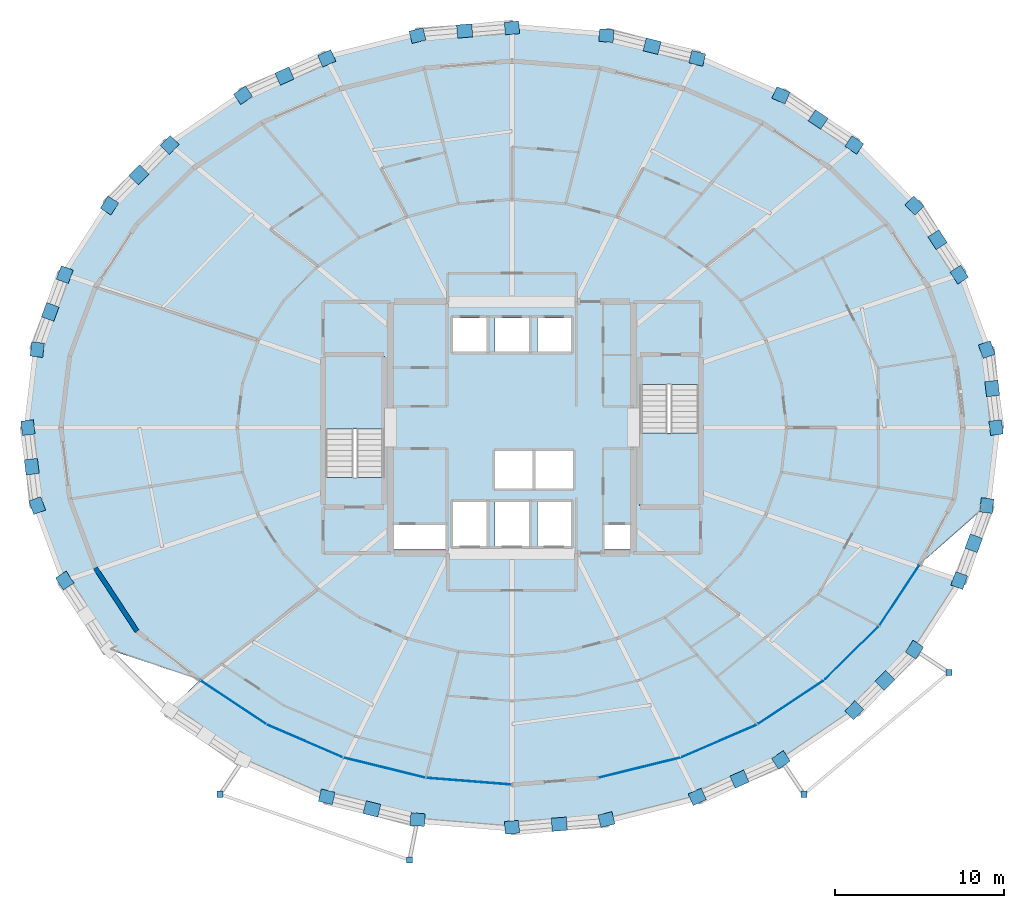
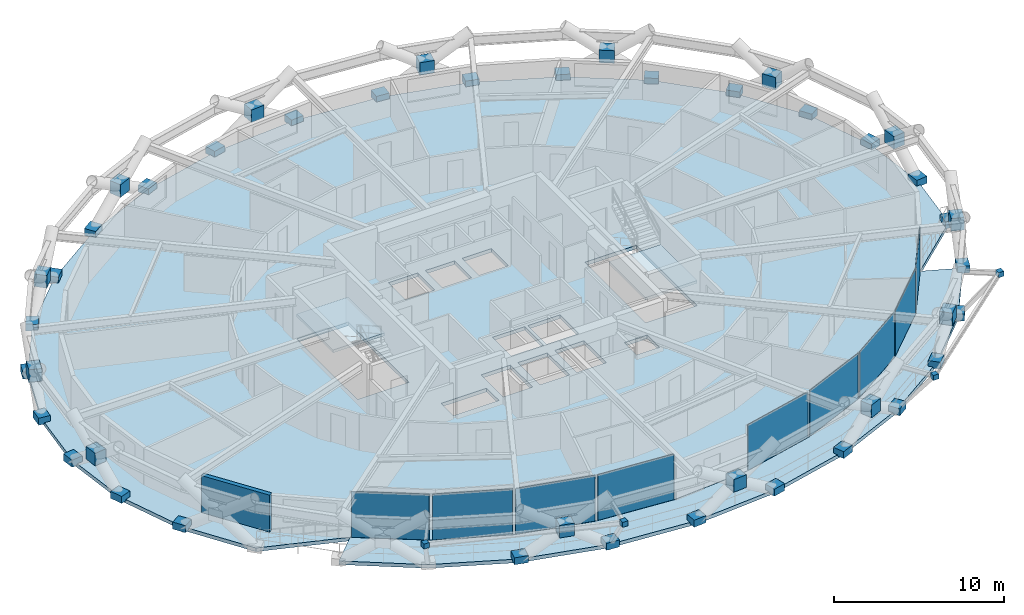
# One storey, part 14 of 21: 56 plates, 4 slabs, 1 wall, 4 elements without a shape of their own.
"""IFC4 building model written with IfcOpenShell, lengths in metres."""

from ifc_helpers import new_model, si_unit, direction, frame, frame_2d, origin, origin_2d, place, context, subcontext, project, spatial, polyline, rectangle, outline, extrude, material, layer, layer_set, type_object, element, aggregate, save


model = new_model("IFC4")

# Units and contexts
model_context = context("Model", 3, precision=1e-05, world=origin(), true_north=direction((0.0, 1.0)))
body_context = subcontext(model_context, "Body", "Model", "MODEL_VIEW")
ifc_project = project(units=[si_unit("LENGTHUNIT", "METRE"), si_unit("AREAUNIT", "SQUARE_METRE"), si_unit("VOLUMEUNIT", "CUBIC_METRE"), si_unit("PLANEANGLEUNIT", "RADIAN"), si_unit("MASSUNIT", "GRAM", prefix="KILO")], contexts=[model_context])

# Site, building, storey
site_placement = place(None, origin())
site = spatial("IfcSite", under=ifc_project, at=site_placement, CompositionType="ELEMENT")
building_placement = place(site_placement, origin())
building = spatial("IfcBuilding", under=site, at=building_placement, Name="Veldorina Hangang Commons", CompositionType="ELEMENT")
storey_placement = place(building_placement, frame((0.0, 0.0, 59.199951171875)))
storey = spatial("IfcBuildingStorey", under=building, at=storey_placement, Name="L14", CompositionType="ELEMENT", Elevation=59.199951171875)

# Curtain wall, plates
ifc_material_1 = material(Name="Glass Low-E Triple IGU", Category="glass")
ifc_layer_1 = layer(ifc_material_1, 0.179931640625)
ifc_layer_set_1 = layer_set([ifc_layer_1], Name="Glass Low-E Triple IGU")
curtain_wall_type = type_object("IfcCurtainWallType", Name="CW-SYS-Z1", PredefinedType="NOTDEFINED", material=ifc_layer_set_1)
curtain_wall_1_placement = place(storey_placement, origin())
curtain_wall_1 = element("IfcCurtainWall", 1, at=curtain_wall_1_placement, inside=storey, type_object=curtain_wall_type, Name="L14 unitised curtain wall CW-L14-R1", PredefinedType="NOTDEFINED")
ifc_layer_2 = layer(ifc_material_1, 0.0400390625)
ifc_layer_set_2 = layer_set([ifc_layer_2], Name="Glass Low-E Triple IGU")
plate_type_1 = type_object("IfcPlateType", Name="CW-PNL-VIS", PredefinedType="CURTAIN_PANEL", material=ifc_layer_set_2)
plate_1_placement = place(storey_placement, frame((15.48876953125, 7.7275390625, 0.01513671875), z_axis=(0.0, 0.0, 1.0), x_axis=(0.833162624029, -0.553028066124, 0.0)))
plate_1 = element("IfcPlate", 2, at=plate_1_placement, type_object=plate_type_1, Name="CW-L14-R1 facet 1 glazed vision panel", PredefinedType="CURTAIN_PANEL", context=body_context, shape_type="SweptSolid", body=[
    extrude(rectangle(XDim=4.57666015625, YDim=0.0400390625, at=origin_2d()), origin(), (0.0, 0.0, 1.0), 3.27001953125),
])
plate_2_placement = place(storey_placement, frame((19.731201171875, 5.434814453125, 0.01513671875), z_axis=(0.0, 0.0, 1.0), x_axis=(0.917900126341, -0.396811489328, 0.0)))
plate_2 = element("IfcPlate", 3, at=plate_2_placement, type_object=plate_type_1, Name="CW-L14-R1 facet 2 glazed vision panel", PredefinedType="CURTAIN_PANEL", context=body_context, shape_type="SweptSolid", body=[
    extrude(rectangle(XDim=4.745849609375, YDim=0.0400390625, at=origin_2d()), origin(), (0.0, 0.0, 1.0), 3.27001953125),
])
plate_3_placement = place(storey_placement, frame((24.44482421875, 3.855712890625, 0.01513671875), z_axis=(0.0, 0.0, 1.0), x_axis=(0.971192535637, -0.238296157591, 0.0)))
plate_3 = element("IfcPlate", 4, at=plate_3_placement, type_object=plate_type_1, Name="CW-L14-R1 facet 3 glazed vision panel", PredefinedType="CURTAIN_PANEL", context=body_context, shape_type="SweptSolid", body=[
    extrude(rectangle(XDim=4.87158203125, YDim=0.0400390625, at=origin_2d()), origin(), (0.0, 0.0, 1.0), 3.27001953125),
])
plate_4_placement = place(storey_placement, frame((29.448974609375, 3.050537109375, 0.01513671875), z_axis=(0.0, 0.0, 1.0), x_axis=(0.996842945025, -0.079398633194, 0.0)))
plate_4 = element("IfcPlate", 5, at=plate_4_placement, type_object=plate_type_1, Name="CW-L14-R1 facet 4 glazed vision panel", PredefinedType="CURTAIN_PANEL", context=body_context, shape_type="SweptSolid", body=[
    extrude(rectangle(XDim=4.938232421875, YDim=0.0400390625, at=origin_2d()), origin(), (0.0, 0.0, 1.0), 3.27001953125),
])
aggregate(curtain_wall_1, [plate_1, plate_2, plate_3, plate_4])

curtain_wall_2_placement = place(storey_placement, origin())
curtain_wall_2 = element("IfcCurtainWall", 6, at=curtain_wall_2_placement, inside=storey, type_object=curtain_wall_type, Name="L14 unitised curtain wall CW-L14-R2", PredefinedType="NOTDEFINED")
plate_5_placement = place(storey_placement, frame((39.55517578125, 3.855712890625, 0.01513671875), z_axis=(0.0, 0.0, 1.0), x_axis=(0.971192535637, 0.238296157591, 0.0)))
plate_5 = element("IfcPlate", 7, at=plate_5_placement, type_object=plate_type_1, Name="CW-L14-R2 facet 1 glazed vision panel", PredefinedType="CURTAIN_PANEL", context=body_context, shape_type="SweptSolid", body=[
    extrude(rectangle(XDim=4.87158203125, YDim=0.0400390625, at=origin_2d()), origin(), (0.0, 0.0, 1.0), 3.27001953125),
])
plate_6_placement = place(storey_placement, frame((44.26904296875, 5.434814453125, 0.01513671875), z_axis=(0.0, 0.0, 1.0), x_axis=(0.917900126341, 0.396811489328, 0.0)))
plate_6 = element("IfcPlate", 8, at=plate_6_placement, type_object=plate_type_1, Name="CW-L14-R2 facet 2 glazed vision panel", PredefinedType="CURTAIN_PANEL", context=body_context, shape_type="SweptSolid", body=[
    extrude(rectangle(XDim=4.745849609375, YDim=0.0400390625, at=origin_2d()), origin(), (0.0, 0.0, 1.0), 3.27001953125),
])
plate_7_placement = place(storey_placement, frame((48.51123046875, 7.7275390625, 0.01513671875), z_axis=(0.0, 0.0, 1.0), x_axis=(0.833162624029, 0.553028066124, 0.0)))
plate_7 = element("IfcPlate", 9, at=plate_7_placement, type_object=plate_type_1, Name="CW-L14-R2 facet 3 glazed vision panel", PredefinedType="CURTAIN_PANEL", context=body_context, shape_type="SweptSolid", body=[
    extrude(rectangle(XDim=4.57666015625, YDim=0.0400390625, at=origin_2d()), origin(), (0.0, 0.0, 1.0), 3.27001953125),
])
plate_8_placement = place(storey_placement, frame((52.118896484375, 10.6455078125, 0.01513671875), z_axis=(0.0, 0.0, 1.0), x_axis=(0.712234347651, 0.701941759711, 0.0)))
plate_8 = element("IfcPlate", 10, at=plate_8_placement, type_object=plate_type_1, Name="CW-L14-R2 facet 4 glazed vision panel", PredefinedType="CURTAIN_PANEL", context=body_context, shape_type="SweptSolid", body=[
    extrude(rectangle(XDim=4.386474609375, YDim=0.0400390625, at=origin_2d()), origin(), (0.0, 0.0, 1.0), 3.27001953125),
])
plate_9_placement = place(storey_placement, frame((54.95361328125, 14.07666015625, 0.01513671875), z_axis=(0.0, 0.0, 1.0), x_axis=(0.551325566843, 0.83429018893, 0.0)))
plate_9 = element("IfcPlate", 11, at=plate_9_placement, type_object=plate_type_1, Name="CW-L14-R2 facet 5 glazed vision panel", PredefinedType="CURTAIN_PANEL", context=body_context, shape_type="SweptSolid", body=[
    extrude(rectangle(XDim=4.203369140625, YDim=0.0400390625, at=origin_2d()), origin(), (0.0, 0.0, 1.0), 3.27001953125),
])
aggregate(curtain_wall_2, [plate_5, plate_6, plate_7, plate_8, plate_9])

# Plates
ifc_material_2 = material(Name="Steel SM460-TMC", Category="steel")
ifc_layer_3 = layer(ifc_material_2, 0.035888671875)
ifc_layer_set_3 = layer_set([ifc_layer_3], Name="Steel SM460-TMC")
plate_type_2 = type_object("IfcPlateType", Name="PL-STAR-36", PredefinedType="USERDEFINED", material=ifc_layer_set_3)
plate_10_placement = place(storey_placement, frame((60.672607421875, 24.0, -0.08984375), z_axis=(0.0, 0.0, 1.0), x_axis=(-0.118438629269, 0.992961374423, 0.0)))
element("IfcPlate", 12, at=plate_10_placement, inside=storey, type_object=plate_type_2, Name="L14 diagrid star-node gusset plate 00", ObjectType="GUSSET PLATE", PredefinedType="USERDEFINED", context=body_context, shape_type="SweptSolid", body=[
    extrude(rectangle(XDim=0.85009765625, YDim=0.75, at=origin_2d()), origin(), (0.0, 0.0, 1.0), 0.5),
])
plate_11_placement = place(storey_placement, frame((60.445556640625, 26.31396484375, 1.346435546875), z_axis=(0.0, 0.0, 1.0), x_axis=(-0.118438629269, 0.992961374423, 0.0)))
element("IfcPlate", 13, at=plate_11_placement, inside=storey, type_object=plate_type_2, Name="L14 diagrid X-crossing star-node gusset plate 00", ObjectType="GUSSET PLATE", PredefinedType="USERDEFINED", context=body_context, shape_type="SweptSolid", body=[
    extrude(rectangle(XDim=0.89990234375, YDim=0.780029296875, at=origin_2d()), origin(), (0.0, 0.0, 1.0), 0.89990234375),
])
for number, where, z_axis, x_axis, name in (
    (14, (60.121826171875, 28.618408203125, -0.08984375), (0.0, 0.0, 1.0), (-0.34488867131, 0.938643598179, 0.0), "L14 diagrid star-node gusset plate 01"),
    (15, (58.489990234375, 33.05908203125, -0.08984375), (0.0, 0.0, 1.0), (-0.543467499475, 0.839430209734, 0.0), "L14 diagrid star-node gusset plate 02"),
):
    element("IfcPlate", number, at=place(storey_placement, frame(where, z_axis=z_axis, x_axis=x_axis)), inside=storey, type_object=plate_type_2, Name=name, ObjectType="GUSSET PLATE", PredefinedType="USERDEFINED", context=body_context, shape_type="SweptSolid", body=[
        extrude(rectangle(XDim=0.85009765625, YDim=0.75, at=origin_2d()), origin(), (0.0, 0.0, 1.0), 0.5),
    ])
plate_12_placement = place(storey_placement, frame((57.208251953125, 35.12841796875, 1.3466796875), z_axis=(0.0, 0.0, 1.0), x_axis=(-0.543467499475, 0.839430209734, 0.0)))
element("IfcPlate", 16, at=plate_12_placement, inside=storey, type_object=plate_type_2, Name="L14 diagrid X-crossing star-node gusset plate 02", ObjectType="GUSSET PLATE", PredefinedType="USERDEFINED", context=body_context, shape_type="SweptSolid", body=[
    extrude(rectangle(XDim=0.89990234375, YDim=0.780029296875, at=origin_2d()), origin(), (0.0, 0.0, 1.0), 0.89990234375),
])
for number, where, z_axis, x_axis, name in (
    (17, (55.840576171875, 37.15185546875, -0.08984375), (0.0, 0.0, 1.0), (-0.704980887487, 0.709226302585, 0.0), "L14 diagrid star-node gusset plate 03"),
    (18, (52.274658203125, 40.739013671875, -0.08984375), (0.0, 0.0, 1.0), (-0.827864584251, 0.560928007986, 0.0), "L14 diagrid star-node gusset plate 04"),
):
    element("IfcPlate", number, at=place(storey_placement, frame(where, z_axis=z_axis, x_axis=x_axis)), inside=storey, type_object=plate_type_2, Name=name, ObjectType="GUSSET PLATE", PredefinedType="USERDEFINED", context=body_context, shape_type="SweptSolid", body=[
        extrude(rectangle(XDim=0.85009765625, YDim=0.75, at=origin_2d()), origin(), (0.0, 0.0, 1.0), 0.5),
    ])
plate_13_placement = place(storey_placement, frame((50.133056640625, 42.248779296875, 1.346923828125), z_axis=(0.0, 0.0, 1.0), x_axis=(-0.827864584251, 0.560928007986, 0.0)))
element("IfcPlate", 19, at=plate_13_placement, inside=storey, type_object=plate_type_2, Name="L14 diagrid X-crossing star-node gusset plate 04", ObjectType="GUSSET PLATE", PredefinedType="USERDEFINED", context=body_context, shape_type="SweptSolid", body=[
    extrude(rectangle(XDim=0.89990234375, YDim=0.780029296875, at=origin_2d()), origin(), (0.0, 0.0, 1.0), 0.89990234375),
])
for number, where, z_axis, x_axis, name in (
    (20, (47.9296875, 43.68310546875, -0.08984375), (0.0, 0.0, 1.0), (-0.914875129454, 0.403736916205, 0.0), "L14 diagrid star-node gusset plate 05"),
    (21, (42.97265625, 45.87060546875, -0.08984375), (0.0, 0.0, 1.0), (-0.970041854282, 0.242937854074, 0.0), "L14 diagrid star-node gusset plate 06"),
):
    element("IfcPlate", number, at=place(storey_placement, frame(where, z_axis=z_axis, x_axis=x_axis)), inside=storey, type_object=plate_type_2, Name=name, ObjectType="GUSSET PLATE", PredefinedType="USERDEFINED", context=body_context, shape_type="SweptSolid", body=[
        extrude(rectangle(XDim=0.85009765625, YDim=0.75, at=origin_2d()), origin(), (0.0, 0.0, 1.0), 0.5),
    ])
plate_14_placement = place(storey_placement, frame((40.29736328125, 46.5908203125, 1.346923828125), z_axis=(0.0, 0.0, 1.0), x_axis=(-0.970041854282, 0.242937854074, 0.0)))
element("IfcPlate", 22, at=plate_14_placement, inside=storey, type_object=plate_type_2, Name="L14 diagrid X-crossing star-node gusset plate 06", ObjectType="GUSSET PLATE", PredefinedType="USERDEFINED", context=body_context, shape_type="SweptSolid", body=[
    extrude(rectangle(XDim=0.89990234375, YDim=0.780029296875, at=origin_2d()), origin(), (0.0, 0.0, 1.0), 0.89990234375),
])
for number, where, z_axis, x_axis, name in (
    (23, (37.59375, 47.2177734375, -0.08984375), (0.0, 0.0, 1.0), (-0.99670992692, 0.081051351491, 0.0), "L14 diagrid star-node gusset plate 07"),
    (24, (32.0, 47.672607421875, -0.08984375), (0.0, 0.0, 1.0), (-0.99670992692, -0.081051351491, 0.0), "L14 diagrid star-node gusset plate 08"),
):
    element("IfcPlate", number, at=place(storey_placement, frame(where, z_axis=z_axis, x_axis=x_axis)), inside=storey, type_object=plate_type_2, Name=name, ObjectType="GUSSET PLATE", PredefinedType="USERDEFINED", context=body_context, shape_type="SweptSolid", body=[
        extrude(rectangle(XDim=0.85009765625, YDim=0.75, at=origin_2d()), origin(), (0.0, 0.0, 1.0), 0.5),
    ])
plate_15_placement = place(storey_placement, frame((29.198486328125, 47.493408203125, 1.346923828125), z_axis=(0.0, 0.0, 1.0), x_axis=(-0.99670992692, -0.081051351491, 0.0)))
element("IfcPlate", 25, at=plate_15_placement, inside=storey, type_object=plate_type_2, Name="L14 diagrid X-crossing star-node gusset plate 08", ObjectType="GUSSET PLATE", PredefinedType="USERDEFINED", context=body_context, shape_type="SweptSolid", body=[
    extrude(rectangle(XDim=0.89990234375, YDim=0.780029296875, at=origin_2d()), origin(), (0.0, 0.0, 1.0), 0.89990234375),
])
for number, where, z_axis, x_axis, name in (
    (26, (26.40625, 47.2177734375, -0.08984375), (0.0, 0.0, 1.0), (-0.970041854282, -0.242937854074, 0.0), "L14 diagrid star-node gusset plate 09"),
    (27, (21.02734375, 45.87060546875, -0.08984375), (0.0, 0.0, 1.0), (-0.914875129454, -0.403736916205, 0.0), "L14 diagrid star-node gusset plate 10"),
):
    element("IfcPlate", number, at=place(storey_placement, frame(where, z_axis=z_axis, x_axis=x_axis)), inside=storey, type_object=plate_type_2, Name=name, ObjectType="GUSSET PLATE", PredefinedType="USERDEFINED", context=body_context, shape_type="SweptSolid", body=[
        extrude(rectangle(XDim=0.85009765625, YDim=0.75, at=origin_2d()), origin(), (0.0, 0.0, 1.0), 0.5),
    ])
plate_16_placement = place(storey_placement, frame((18.526123046875, 44.8193359375, 1.346923828125), z_axis=(0.0, 0.0, 1.0), x_axis=(-0.914875129454, -0.403736916205, 0.0)))
element("IfcPlate", 28, at=plate_16_placement, inside=storey, type_object=plate_type_2, Name="L14 diagrid X-crossing star-node gusset plate 10", ObjectType="GUSSET PLATE", PredefinedType="USERDEFINED", context=body_context, shape_type="SweptSolid", body=[
    extrude(rectangle(XDim=0.89990234375, YDim=0.780029296875, at=origin_2d()), origin(), (0.0, 0.0, 1.0), 0.89990234375),
])
for number, where, z_axis, x_axis, name in (
    (29, (16.0703125, 43.68310546875, -0.08984375), (0.0, 0.0, 1.0), (-0.827864584251, -0.560928007986, 0.0), "L14 diagrid star-node gusset plate 11"),
    (30, (11.725341796875, 40.739013671875, -0.08984375), (0.0, 0.0, 1.0), (-0.704980887487, -0.709226302585, 0.0), "L14 diagrid star-node gusset plate 12"),
):
    element("IfcPlate", number, at=place(storey_placement, frame(where, z_axis=z_axis, x_axis=x_axis)), inside=storey, type_object=plate_type_2, Name=name, ObjectType="GUSSET PLATE", PredefinedType="USERDEFINED", context=body_context, shape_type="SweptSolid", body=[
        extrude(rectangle(XDim=0.85009765625, YDim=0.75, at=origin_2d()), origin(), (0.0, 0.0, 1.0), 0.5),
    ])
plate_17_placement = place(storey_placement, frame((9.9052734375, 38.975830078125, 1.3466796875), z_axis=(0.0, 0.0, 1.0), x_axis=(-0.704980887487, -0.709226302585, 0.0)))
element("IfcPlate", 31, at=plate_17_placement, inside=storey, type_object=plate_type_2, Name="L14 diagrid X-crossing star-node gusset plate 12", ObjectType="GUSSET PLATE", PredefinedType="USERDEFINED", context=body_context, shape_type="SweptSolid", body=[
    extrude(rectangle(XDim=0.89990234375, YDim=0.780029296875, at=origin_2d()), origin(), (0.0, 0.0, 1.0), 0.89990234375),
])
for number, where, z_axis, x_axis, name in (
    (32, (8.159423828125, 37.15185546875, -0.08984375), (0.0, 0.0, 1.0), (-0.543467499475, -0.839430209734, 0.0), "L14 diagrid star-node gusset plate 13"),
    (33, (5.510009765625, 33.05908203125, -0.08984375), (0.0, 0.0, 1.0), (-0.34488867131, -0.938643598179, 0.0), "L14 diagrid star-node gusset plate 14"),
):
    element("IfcPlate", number, at=place(storey_placement, frame(where, z_axis=z_axis, x_axis=x_axis)), inside=storey, type_object=plate_type_2, Name=name, ObjectType="GUSSET PLATE", PredefinedType="USERDEFINED", context=body_context, shape_type="SweptSolid", body=[
        extrude(rectangle(XDim=0.85009765625, YDim=0.75, at=origin_2d()), origin(), (0.0, 0.0, 1.0), 0.5),
    ])
plate_18_placement = place(storey_placement, frame((4.64794921875, 30.852783203125, 1.346435546875), z_axis=(0.0, 0.0, 1.0), x_axis=(-0.34488867131, -0.938643598179, 0.0)))
element("IfcPlate", 34, at=plate_18_placement, inside=storey, type_object=plate_type_2, Name="L14 diagrid X-crossing star-node gusset plate 14", ObjectType="GUSSET PLATE", PredefinedType="USERDEFINED", context=body_context, shape_type="SweptSolid", body=[
    extrude(rectangle(XDim=0.89990234375, YDim=0.780029296875, at=origin_2d()), origin(), (0.0, 0.0, 1.0), 0.89990234375),
])
for number, where, z_axis, x_axis, name in (
    (35, (3.878173828125, 28.618408203125, -0.08984375), (0.0, 0.0, 1.0), (-0.118438629269, -0.992961374423, 0.0), "L14 diagrid star-node gusset plate 15"),
    (36, (3.327392578125, 24.0, -0.08984375), (0.0, 0.0, 1.0), (0.118438629269, -0.992961374423, 0.0), "L14 diagrid star-node gusset plate 16"),
):
    element("IfcPlate", number, at=place(storey_placement, frame(where, z_axis=z_axis, x_axis=x_axis)), inside=storey, type_object=plate_type_2, Name=name, ObjectType="GUSSET PLATE", PredefinedType="USERDEFINED", context=body_context, shape_type="SweptSolid", body=[
        extrude(rectangle(XDim=0.85009765625, YDim=0.75, at=origin_2d()), origin(), (0.0, 0.0, 1.0), 0.5),
    ])
plate_19_placement = place(storey_placement, frame((3.554443359375, 21.68603515625, 1.346435546875), z_axis=(0.0, 0.0, 1.0), x_axis=(0.118438629269, -0.992961374423, 0.0)))
element("IfcPlate", 37, at=plate_19_placement, inside=storey, type_object=plate_type_2, Name="L14 diagrid X-crossing star-node gusset plate 16", ObjectType="GUSSET PLATE", PredefinedType="USERDEFINED", context=body_context, shape_type="SweptSolid", body=[
    extrude(rectangle(XDim=0.89990234375, YDim=0.780029296875, at=origin_2d()), origin(), (0.0, 0.0, 1.0), 0.89990234375),
])
for number, where, z_axis, x_axis, name in (
    (38, (3.878173828125, 19.381591796875, -0.08984375), (0.0, 0.0, 1.0), (0.34488867131, -0.938643598179, 0.0), "L14 diagrid star-node gusset plate 17"),
    (39, (5.510009765625, 14.94091796875, -0.08984375), (0.0, 0.0, 1.0), (0.543467499475, -0.839430209734, 0.0), "L14 diagrid star-node gusset plate 18"),
    (40, (21.02734375, 2.12939453125, -0.08984375), (0.0, 0.0, 1.0), (0.970041854282, -0.242937854074, 0.0), "L14 diagrid star-node gusset plate 22"),
):
    element("IfcPlate", number, at=place(storey_placement, frame(where, z_axis=z_axis, x_axis=x_axis)), inside=storey, type_object=plate_type_2, Name=name, ObjectType="GUSSET PLATE", PredefinedType="USERDEFINED", context=body_context, shape_type="SweptSolid", body=[
        extrude(rectangle(XDim=0.85009765625, YDim=0.75, at=origin_2d()), origin(), (0.0, 0.0, 1.0), 0.5),
    ])
plate_20_placement = place(storey_placement, frame((23.70263671875, 1.4091796875, 1.346923828125), z_axis=(0.0, 0.0, 1.0), x_axis=(0.970041854282, -0.242937854074, 0.0)))
element("IfcPlate", 41, at=plate_20_placement, inside=storey, type_object=plate_type_2, Name="L14 diagrid X-crossing star-node gusset plate 22", ObjectType="GUSSET PLATE", PredefinedType="USERDEFINED", context=body_context, shape_type="SweptSolid", body=[
    extrude(rectangle(XDim=0.89990234375, YDim=0.780029296875, at=origin_2d()), origin(), (0.0, 0.0, 1.0), 0.89990234375),
])
for number, where, z_axis, x_axis, name in (
    (42, (26.40625, 0.7822265625, -0.08984375), (0.0, 0.0, 1.0), (0.99670992692, -0.081051351491, 0.0), "L14 diagrid star-node gusset plate 23"),
    (43, (32.0, 0.327392578125, -0.08984375), (0.0, 0.0, 1.0), (0.99670992692, 0.081051351491, 0.0), "L14 diagrid star-node gusset plate 24"),
):
    element("IfcPlate", number, at=place(storey_placement, frame(where, z_axis=z_axis, x_axis=x_axis)), inside=storey, type_object=plate_type_2, Name=name, ObjectType="GUSSET PLATE", PredefinedType="USERDEFINED", context=body_context, shape_type="SweptSolid", body=[
        extrude(rectangle(XDim=0.85009765625, YDim=0.75, at=origin_2d()), origin(), (0.0, 0.0, 1.0), 0.5),
    ])
plate_21_placement = place(storey_placement, frame((34.801513671875, 0.506591796875, 1.346923828125), z_axis=(0.0, 0.0, 1.0), x_axis=(0.99670992692, 0.081051351491, 0.0)))
element("IfcPlate", 44, at=plate_21_placement, inside=storey, type_object=plate_type_2, Name="L14 diagrid X-crossing star-node gusset plate 24", ObjectType="GUSSET PLATE", PredefinedType="USERDEFINED", context=body_context, shape_type="SweptSolid", body=[
    extrude(rectangle(XDim=0.89990234375, YDim=0.780029296875, at=origin_2d()), origin(), (0.0, 0.0, 1.0), 0.89990234375),
])
for number, where, z_axis, x_axis, name in (
    (45, (37.59375, 0.7822265625, -0.08984375), (0.0, 0.0, 1.0), (0.970041854282, 0.242937854074, 0.0), "L14 diagrid star-node gusset plate 25"),
    (46, (42.97265625, 2.12939453125, -0.08984375), (0.0, 0.0, 1.0), (0.914875129454, 0.403736916205, 0.0), "L14 diagrid star-node gusset plate 26"),
):
    element("IfcPlate", number, at=place(storey_placement, frame(where, z_axis=z_axis, x_axis=x_axis)), inside=storey, type_object=plate_type_2, Name=name, ObjectType="GUSSET PLATE", PredefinedType="USERDEFINED", context=body_context, shape_type="SweptSolid", body=[
        extrude(rectangle(XDim=0.85009765625, YDim=0.75, at=origin_2d()), origin(), (0.0, 0.0, 1.0), 0.5),
    ])
plate_22_placement = place(storey_placement, frame((45.473876953125, 3.1806640625, 1.346923828125), z_axis=(0.0, 0.0, 1.0), x_axis=(0.914875129454, 0.403736916205, 0.0)))
element("IfcPlate", 47, at=plate_22_placement, inside=storey, type_object=plate_type_2, Name="L14 diagrid X-crossing star-node gusset plate 26", ObjectType="GUSSET PLATE", PredefinedType="USERDEFINED", context=body_context, shape_type="SweptSolid", body=[
    extrude(rectangle(XDim=0.89990234375, YDim=0.780029296875, at=origin_2d()), origin(), (0.0, 0.0, 1.0), 0.89990234375),
])
for number, where, z_axis, x_axis, name in (
    (48, (47.9296875, 4.31689453125, -0.08984375), (0.0, 0.0, 1.0), (0.827864584251, 0.560928007986, 0.0), "L14 diagrid star-node gusset plate 27"),
    (49, (52.274658203125, 7.260986328125, -0.08984375), (0.0, 0.0, 1.0), (0.704980887487, 0.709226302585, 0.0), "L14 diagrid star-node gusset plate 28"),
):
    element("IfcPlate", number, at=place(storey_placement, frame(where, z_axis=z_axis, x_axis=x_axis)), inside=storey, type_object=plate_type_2, Name=name, ObjectType="GUSSET PLATE", PredefinedType="USERDEFINED", context=body_context, shape_type="SweptSolid", body=[
        extrude(rectangle(XDim=0.85009765625, YDim=0.75, at=origin_2d()), origin(), (0.0, 0.0, 1.0), 0.5),
    ])
plate_23_placement = place(storey_placement, frame((54.0947265625, 9.024169921875, 1.3466796875), z_axis=(0.0, 0.0, 1.0), x_axis=(0.704980887487, 0.709226302585, 0.0)))
element("IfcPlate", 50, at=plate_23_placement, inside=storey, type_object=plate_type_2, Name="L14 diagrid X-crossing star-node gusset plate 28", ObjectType="GUSSET PLATE", PredefinedType="USERDEFINED", context=body_context, shape_type="SweptSolid", body=[
    extrude(rectangle(XDim=0.89990234375, YDim=0.780029296875, at=origin_2d()), origin(), (0.0, 0.0, 1.0), 0.89990234375),
])
for number, where, z_axis, x_axis, name in (
    (51, (55.840576171875, 10.84814453125, -0.08984375), (0.0, 0.0, 1.0), (0.543467499475, 0.839430209734, 0.0), "L14 diagrid star-node gusset plate 29"),
    (52, (58.489990234375, 14.94091796875, -0.08984375), (0.0, 0.0, 1.0), (0.34488867131, 0.938643598179, 0.0), "L14 diagrid star-node gusset plate 30"),
):
    element("IfcPlate", number, at=place(storey_placement, frame(where, z_axis=z_axis, x_axis=x_axis)), inside=storey, type_object=plate_type_2, Name=name, ObjectType="GUSSET PLATE", PredefinedType="USERDEFINED", context=body_context, shape_type="SweptSolid", body=[
        extrude(rectangle(XDim=0.85009765625, YDim=0.75, at=origin_2d()), origin(), (0.0, 0.0, 1.0), 0.5),
    ])
plate_24_placement = place(storey_placement, frame((59.35205078125, 17.147216796875, 1.346435546875), z_axis=(0.0, 0.0, 1.0), x_axis=(0.34488867131, 0.938643598179, 0.0)))
element("IfcPlate", 53, at=plate_24_placement, inside=storey, type_object=plate_type_2, Name="L14 diagrid X-crossing star-node gusset plate 30", ObjectType="GUSSET PLATE", PredefinedType="USERDEFINED", context=body_context, shape_type="SweptSolid", body=[
    extrude(rectangle(XDim=0.89990234375, YDim=0.780029296875, at=origin_2d()), origin(), (0.0, 0.0, 1.0), 0.89990234375),
])
plate_25_placement = place(storey_placement, frame((60.121826171875, 19.381591796875, -0.08984375), z_axis=(0.0, 0.0, 1.0), x_axis=(0.118438629269, 0.992961374423, 0.0)))
element("IfcPlate", 54, at=plate_25_placement, inside=storey, type_object=plate_type_2, Name="L14 diagrid star-node gusset plate 31", ObjectType="GUSSET PLATE", PredefinedType="USERDEFINED", context=body_context, shape_type="SweptSolid", body=[
    extrude(rectangle(XDim=0.85009765625, YDim=0.75, at=origin_2d()), origin(), (0.0, 0.0, 1.0), 0.5),
])
for number, where, z_axis, x_axis, name in (
    (55, (14.710693359375, 2.281982421875, 2.98486328125), (0.0, 0.0, 1.0), (1.0, 0.0, 0.0), "L15 tree balcony 1 strut end gusset A"),
    (56, (25.9287109375, -1.6181640625, 2.98486328125), (0.0, 0.0, 1.0), (1.0, 0.0, 0.0), "L15 tree balcony 1 strut end gusset B"),
    (57, (49.289306640625, 2.281982421875, 2.98486328125), (0.0, 0.0, 1.0), (1.0, 0.0, 0.0), "L15 tree balcony 2 strut end gusset A"),
    (58, (57.87548828125, 9.48828125, 2.98486328125), (0.0, 0.0, 1.0), (1.0, 0.0, 0.0), "L15 tree balcony 2 strut end gusset B"),
):
    element("IfcPlate", number, at=place(storey_placement, frame(where, z_axis=z_axis, x_axis=x_axis)), inside=storey, type_object=plate_type_2, Name=name, ObjectType="GUSSET PLATE", PredefinedType="USERDEFINED", context=body_context, shape_type="SweptSolid", body=[
        extrude(rectangle(XDim=0.360107421875, YDim=0.360107421875, at=origin_2d()), origin(), (0.0, 0.0, 1.0), 0.360107421875),
    ])

# Slabs
ifc_material_3 = material(Name="Concrete C40/50", Category="concrete")
ifc_layer_4 = layer(ifc_material_3, 0.260009765625)
ifc_layer_set_4 = layer_set([ifc_layer_4], Name="Concrete C40/50")
slab_type_1 = type_object("IfcSlabType", Name="SL-FLR-260", PredefinedType="FLOOR", material=ifc_layer_set_4)
slab_1_placement = place(storey_placement, frame((0.0, 0.0, -0.260009765625)))
element("IfcSlab", 59, at=slab_1_placement, inside=storey, type_object=slab_type_1, Name="L14 tower structural floor slab", PredefinedType="FLOOR", context=body_context, shape_type="SweptSolid", body=[
    extrude(outline(polyline([(60.672607421875, 24.0), (60.121826171875, 28.618408203125), (58.489990234375, 33.05908203125), (55.840576171875, 37.15185546875), (52.274658203125, 40.739013671875), (47.9296875, 43.68310546875), (42.97265625, 45.87060546875), (37.59375, 47.2177734375), (32.0, 47.672607421875), (26.40625, 47.2177734375), (21.02734375, 45.87060546875), (16.0703125, 43.68310546875), (11.725341796875, 40.739013671875), (8.159423828125, 37.15185546875), (5.510009765625, 33.05908203125), (3.878173828125, 28.618408203125), (3.327392578125, 24.0), (3.878173828125, 19.381591796875), (5.510009765625, 14.94091796875), (8.159423828125, 10.84814453125), (13.507080078125, 9.042724609375), (17.47021484375, 6.412109375), (21.99169921875, 4.45751953125), (26.89794921875, 3.253662109375), (32.0, 2.847412109375), (37.10205078125, 3.253662109375), (42.00830078125, 4.45751953125), (46.52978515625, 6.412109375), (50.492919921875, 9.042724609375), (53.7451171875, 12.248291015625), (56.161865234375, 15.9052734375), (60.121826171875, 19.381591796875), (60.672607421875, 24.0)]), holes=[polyline([(20.949951171875, 21.05810546875), (20.949951171875, 28.199951171875), (24.449951171875, 28.199951171875), (24.449951171875, 21.05810546875), (20.949951171875, 21.05810546875)]), polyline([(43.050048828125, 26.5419921875), (43.050048828125, 19.39990234375), (39.550048828125, 19.39990234375), (39.550048828125, 26.5419921875), (43.050048828125, 26.5419921875)]), polyline([(28.5, 30.5), (30.5, 30.5), (30.5, 28.5), (28.5, 28.5), (28.5, 30.5)]), polyline([(31.0, 30.5), (33.0, 30.5), (33.0, 28.5), (31.0, 28.5), (31.0, 30.5)]), polyline([(33.5, 30.5), (35.5, 30.5), (35.5, 28.5), (33.5, 28.5), (33.5, 30.5)]), polyline([(31.0, 22.60009765625), (33.199951171875, 22.60009765625), (33.199951171875, 20.39990234375), (31.0, 20.39990234375), (31.0, 22.60009765625)]), polyline([(33.39990234375, 22.60009765625), (35.60009765625, 22.60009765625), (35.60009765625, 20.39990234375), (33.39990234375, 20.39990234375), (33.39990234375, 22.60009765625)]), polyline([(28.5, 19.60009765625), (30.5, 19.60009765625), (30.5, 17.0), (28.5, 17.0), (28.5, 19.60009765625)]), polyline([(31.0, 19.60009765625), (33.0, 19.60009765625), (33.0, 17.0), (31.0, 17.0), (31.0, 19.60009765625)]), polyline([(33.5, 19.60009765625), (35.5, 19.60009765625), (35.5, 17.0), (33.5, 17.0), (33.5, 19.60009765625)]), polyline([(25.0, 18.25), (28.10009765625, 18.25), (28.10009765625, 16.800048828125), (25.0, 16.800048828125), (25.0, 18.25)]), polyline([(37.449951171875, 18.25), (39.0, 18.25), (39.0, 16.800048828125), (37.449951171875, 16.800048828125), (37.449951171875, 18.25)])]), origin(), (0.0, 0.0, 1.0), 0.260009765625),
])
slab_2_placement = place(storey_placement, frame((0.0, 0.0, -0.260009765625)))
element("IfcSlab", 60, at=slab_2_placement, inside=storey, type_object=slab_type_1, Name="L14 sky-garden loggia outdoor slab", PredefinedType="FLOOR", context=body_context, shape_type="SweptSolid", body=[
    extrude(outline(polyline([(58.489990234375, 14.94091796875), (55.840576171875, 10.84814453125), (52.274658203125, 7.260986328125), (47.9296875, 4.31689453125), (42.97265625, 2.12939453125), (37.59375, 0.7822265625), (32.0, 0.327392578125), (26.40625, 0.7822265625), (21.02734375, 2.12939453125), (16.0703125, 4.31689453125), (11.725341796875, 7.260986328125), (13.495361328125, 9.031005859375), (13.50048828125, 9.029296875), (17.4619140625, 6.399658203125), (17.463134765625, 6.39892578125), (17.46435546875, 6.3984375), (21.98583984375, 4.443603515625), (21.987060546875, 4.443359375), (21.98828125, 4.44287109375), (26.894287109375, 3.239013671875), (26.8955078125, 3.239013671875), (26.896728515625, 3.23876953125), (31.998779296875, 2.832275390625), (32.0, 2.832275390625), (32.001220703125, 2.832275390625), (37.103271484375, 3.23876953125), (37.1044921875, 3.239013671875), (37.105712890625, 3.239013671875), (42.01171875, 4.44287109375), (42.012939453125, 4.443359375), (42.01416015625, 4.443603515625), (46.53564453125, 6.3984375), (46.536865234375, 6.39892578125), (46.5380859375, 6.399658203125), (50.501220703125, 9.0302734375), (50.502197265625, 9.03125), (50.50341796875, 9.031982421875), (53.755615234375, 12.237548828125), (53.7568359375, 12.23876953125), (53.7578125, 12.239990234375), (56.17333984375, 15.895263671875), (56.17724609375, 15.898681640625), (58.489990234375, 14.94091796875)])), origin(), (0.0, 0.0, 1.0), 0.260009765625),
])

# Stair, slab
stair_type = type_object("IfcStairType", Name="STR-DOG-1650-20R", PredefinedType="HALF_TURN_STAIR", material=ifc_material_3)
stair_1_placement = place(storey_placement, origin())
stair_1 = element("IfcStair", 61, at=stair_1_placement, inside=storey, type_object=stair_type, Name="L14 Exit stair ST-1", PredefinedType="HALF_TURN_STAIR")
ifc_layer_5 = layer(ifc_material_3, 0.199951171875)
ifc_layer_set_5 = layer_set([ifc_layer_5], Name="Concrete C40/50")
slab_type_2 = type_object("IfcSlabType", Name="SL-LND-200", PredefinedType="LANDING", material=ifc_layer_set_5)
slab_3_placement = place(storey_placement, frame((0.0, 0.0, 1.60009765625)))
slab_3 = element("IfcSlab", 62, at=slab_3_placement, type_object=slab_type_2, Name="ST-1 landing 1", PredefinedType="LANDING", context=body_context, shape_type="SweptSolid", body=[
    extrude(outline(polyline([(24.449951171875, 23.929931640625), (24.449951171875, 28.199951171875), (20.949951171875, 28.199951171875), (20.949951171875, 23.929931640625), (24.449951171875, 23.929931640625)])), origin(), (0.0, 0.0, 1.0), 0.199951171875),
])
aggregate(stair_1, [slab_3])

stair_2_placement = place(storey_placement, origin())
stair_2 = element("IfcStair", 63, at=stair_2_placement, inside=storey, type_object=stair_type, Name="L14 Exit stair ST-2", PredefinedType="HALF_TURN_STAIR")
slab_4_placement = place(storey_placement, frame((0.0, 0.0, 1.60009765625)))
slab_4 = element("IfcSlab", 64, at=slab_4_placement, type_object=slab_type_2, Name="ST-2 landing 1", PredefinedType="LANDING", context=body_context, shape_type="SweptSolid", body=[
    extrude(outline(polyline([(39.550048828125, 23.669921875), (39.550048828125, 19.39990234375), (43.050048828125, 19.39990234375), (43.050048828125, 23.669921875), (39.550048828125, 23.669921875)])), origin(), (0.0, 0.0, 1.0), 0.199951171875),
])
aggregate(stair_2, [slab_4])

# Wall
ifc_material_4 = material(Name="Stone Roman Travertine", Category="masonry")
ifc_layer_6 = layer(ifc_material_4, 0.280029296875)
ifc_layer_set_6 = layer_set([ifc_layer_6], Name="Stone Roman Travertine")
wall_type = type_object("IfcWallType", Name="EW-TRAV-280", PredefinedType="STANDARD", material=ifc_layer_set_6)
wall_placement = place(storey_placement, frame((7.32080078125, 15.69091796875, 0.0), z_axis=(0.0, 0.0, 1.0), x_axis=(0.549434846356, -0.835536563898, 0.0)))
element("IfcWall", 65, at=wall_placement, inside=storey, type_object=wall_type, Name="L14 travertine facade wall 18", PredefinedType="STANDARD", context=body_context, shape_type="SweptSolid", body=[
    extrude(rectangle(XDim=4.492919921875, YDim=0.280029296875, at=frame_2d((2.24658203125, 0.0))), origin(), (0.0, 0.0, 1.0), 2.650146484375),
])

save(model, "model.ifc")
